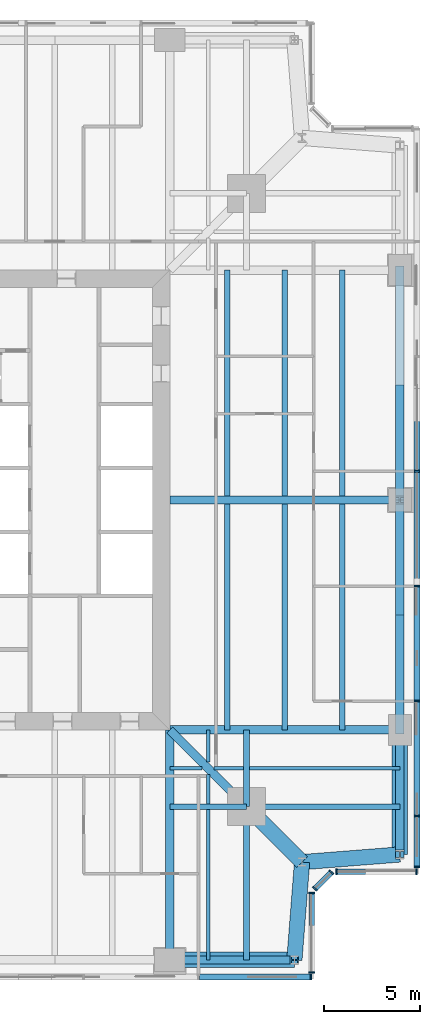
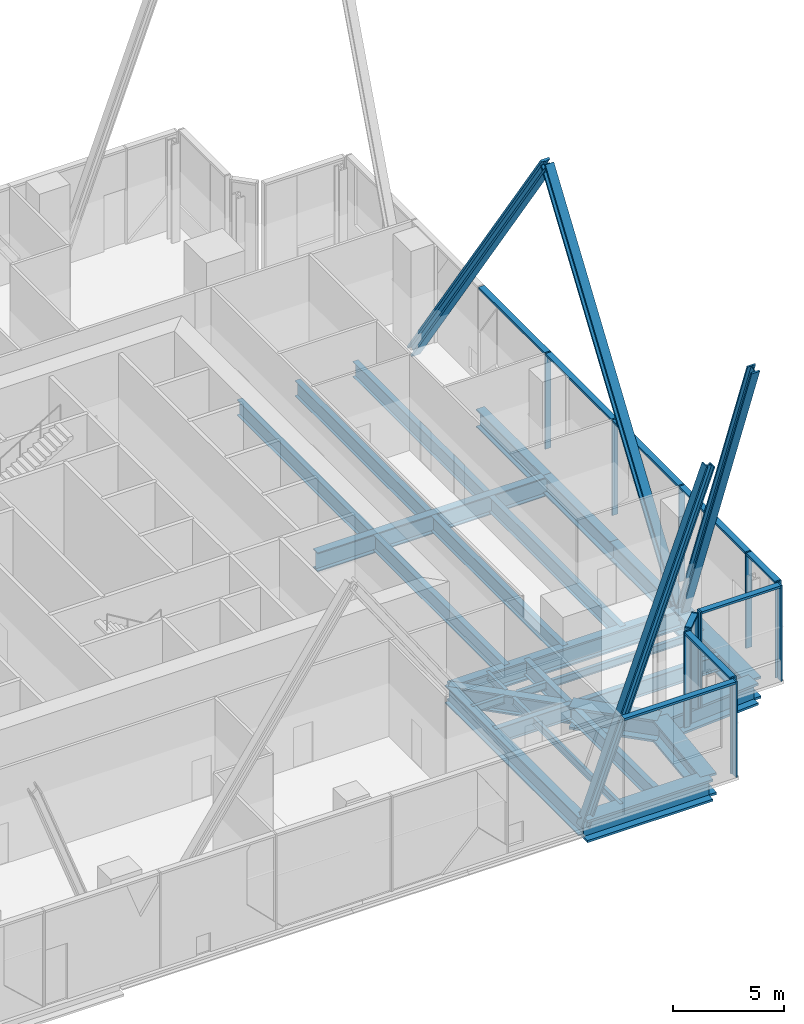
# One storey, part 3 of 14: 28 beams, 25 members, 5 elements without a shape of their own.
"""IFC4 building model written with IfcOpenShell, lengths in metres."""

from ifc_helpers import new_model, si_unit, direction, frame, origin, origin_2d, place, context, subcontext, project, spatial, rectangle, i_section, extrude, material, material_profile, profile_set, type_object, element, aggregate, save


model = new_model("IFC4")

# Units and contexts
model_context = context("Model", 3, precision=1e-05, world=origin(), true_north=direction((0.0, 1.0)))
body_context = subcontext(model_context, "Body", "Model", "MODEL_VIEW")
ifc_project = project(units=[si_unit("LENGTHUNIT", "METRE"), si_unit("AREAUNIT", "SQUARE_METRE"), si_unit("VOLUMEUNIT", "CUBIC_METRE"), si_unit("PLANEANGLEUNIT", "RADIAN"), si_unit("MASSUNIT", "GRAM", prefix="KILO")], contexts=[model_context])

# Site, building, storey
site_placement = place(None, origin())
site = spatial("IfcSite", under=ifc_project, at=site_placement, CompositionType="ELEMENT")
building_placement = place(site_placement, origin())
building = spatial("IfcBuilding", under=site, at=building_placement, Name="Fenwick Lantern Interchange", CompositionType="ELEMENT")
storey_placement = place(building_placement, frame((0.0, 0.0, 168.39990234375)))
storey = spatial("IfcBuildingStorey", under=building, at=storey_placement, Name="L39", CompositionType="ELEMENT", Elevation=168.39990234375)

# Members
ifc_material_1 = material(Name="Steel ASTM A992 Grade 50", Category="steel")
ifc_material_profile_1 = material_profile(ifc_material_1, i_section(OverallWidth=0.424072265625, OverallDepth=0.47509765625, WebThickness=0.0478515625, FlangeThickness=0.0771484375, at=origin_2d()), Name="W14X426")
ifc_profile_set_1 = profile_set([ifc_material_profile_1], Name="Steel ASTM A992 Grade 50")
member_type_1 = type_object("IfcMemberType", Name="FACADE BRACE W14X426", PredefinedType="BRACE", material=ifc_profile_set_1)
for number, where, z_axis, x_axis, name in (
    (1, (37.0, 1.0, -0.696533203125), (0.348348807467, 0.0, 0.93736498139), (0.0, 1.0, 0.0), "L39/FB/S/BE"),
    (2, (49.0, 13.0, -0.696533203125), (0.0, -0.348348807467, 0.93736498139), (1.0, 0.0, 0.0), "L39/FB/E/AE"),
):
    element("IfcMember", number, at=place(storey_placement, frame(where, z_axis=z_axis, x_axis=x_axis)), inside=storey, type_object=member_type_1, Name=name, PredefinedType="BRACE", context=body_context, shape_type="SweptSolid", body=[
        extrude(i_section(OverallWidth=0.424072265625, OverallDepth=0.47509765625, WebThickness=0.0478515625, FlangeThickness=0.0771484375, at=origin_2d()), origin(), (0.0, 0.0, 1.0), 18.659423828125),
    ])
ifc_material_profile_2 = material_profile(ifc_material_1, i_section(OverallWidth=0.44189453125, OverallDepth=0.53076171875, WebThickness=0.06591796875, FlangeThickness=0.105712890625, at=origin_2d()), Name="W14X605")
ifc_profile_set_2 = profile_set([ifc_material_profile_2], Name="Steel ASTM A992 Grade 50")
member_type_2 = type_object("IfcMemberType", Name="FACADE BRACE W14X605", PredefinedType="BRACE", material=ifc_profile_set_2)
for number, where, z_axis, x_axis, name in (
    (3, (49.0, 13.0, -0.696533203125), (0.0, 0.565732332995, 0.824588944507), (-1.0, 0.0, 0.0), "L39/FB/E/A"),
    (4, (49.0, 37.0, -0.696533203125), (0.0, -0.565732332995, 0.824588944507), (1.0, 0.0, 0.0), "L39/FB/E/B"),
):
    element("IfcMember", number, at=place(storey_placement, frame(where, z_axis=z_axis, x_axis=x_axis)), inside=storey, type_object=member_type_2, Name=name, PredefinedType="BRACE", context=body_context, shape_type="SweptSolid", body=[
        extrude(i_section(OverallWidth=0.44189453125, OverallDepth=0.53076171875, WebThickness=0.06591796875, FlangeThickness=0.105712890625, at=origin_2d()), origin(), (0.0, 0.0, 1.0), 21.21142578125),
    ])

# Beams
ifc_material_profile_3 = material_profile(ifc_material_1, i_section(OverallWidth=0.2919921875, OverallDepth=0.845703125, WebThickness=0.015380859375, FlangeThickness=0.0244140625, at=origin_2d()), Name="W33X141")
ifc_profile_set_3 = profile_set([ifc_material_profile_3], Name="Steel ASTM A992 Grade 50")
beam_type_1 = type_object("IfcBeamType", Name="FLOOR BEAM W33X141", PredefinedType="BEAM", material=ifc_profile_set_3)
for number, where, z_axis, x_axis, name in (
    (5, (46.0, 13.0, -0.622802734375), (0.0, 1.0, 0.0), (-1.0, 0.0, 0.0), "L39/FR/E/B01"),
    (6, (43.0, 13.0, -0.622802734375), (0.0, 1.0, 0.0), (-1.0, 0.0, 0.0), "L39/FR/E/B02"),
    (7, (40.0, 13.0, -0.622802734375), (0.0, 1.0, 0.0), (-1.0, 0.0, 0.0), "L39/FR/E/B03"),
    (8, (46.0, 25.20458984375, -0.622802734375), (0.0, 1.0, 0.0), (-1.0, 0.0, 0.0), "L39/FR/E/B04"),
    (9, (43.0, 25.20458984375, -0.622802734375), (0.0, 1.0, 0.0), (-1.0, 0.0, 0.0), "L39/FR/E/B05"),
    (10, (40.0, 25.20458984375, -0.622802734375), (0.0, 1.0, 0.0), (-1.0, 0.0, 0.0), "L39/FR/E/B06"),
):
    element("IfcBeam", number, at=place(storey_placement, frame(where, z_axis=z_axis, x_axis=x_axis)), inside=storey, type_object=beam_type_1, Name=name, PredefinedType="BEAM", context=body_context, shape_type="SweptSolid", body=[
        extrude(i_section(OverallWidth=0.2919921875, OverallDepth=0.845703125, WebThickness=0.015380859375, FlangeThickness=0.0244140625, at=origin_2d()), origin(), (0.0, 0.0, 1.0), 11.79541015625),
    ])
ifc_material_profile_4 = material_profile(ifc_material_1, i_section(OverallWidth=0.177734375, OverallDepth=0.406494140625, WebThickness=0.0078125, FlangeThickness=0.012939453125, at=origin_2d()), Name="W16X40")
ifc_profile_set_4 = profile_set([ifc_material_profile_4], Name="Steel ASTM A992 Grade 50")
beam_type_2 = type_object("IfcBeamType", Name="INFILL BEAM W16X40", PredefinedType="JOIST", material=ifc_profile_set_4)
beam_1_placement = place(storey_placement, frame((49.0, 11.0, -0.403076171875), z_axis=(-1.0, 0.0, 0.0), x_axis=(0.0, -1.0, 0.0)))
element("IfcBeam", 11, at=beam_1_placement, inside=storey, type_object=beam_type_2, Name="L39/FR/E/J1", PredefinedType="JOIST", context=body_context, shape_type="SweptSolid", body=[
    extrude(i_section(OverallWidth=0.177734375, OverallDepth=0.406494140625, WebThickness=0.0078125, FlangeThickness=0.012939453125, at=origin_2d()), origin(), (0.0, 0.0, 1.0), 7.85400390625),
])
beam_2_placement = place(storey_placement, frame((40.85400390625, 11.0, -0.403076171875), z_axis=(-1.0, 0.0, 0.0), x_axis=(0.0, -1.0, 0.0)))
element("IfcBeam", 12, at=beam_2_placement, inside=storey, type_object=beam_type_2, Name="L39/FR/E/J2", PredefinedType="JOIST", context=body_context, shape_type="SweptSolid", body=[
    extrude(i_section(OverallWidth=0.177734375, OverallDepth=0.406494140625, WebThickness=0.0078125, FlangeThickness=0.012939453125, at=origin_2d()), origin(), (0.0, 0.0, 1.0), 1.537841796875),
])
beam_3_placement = place(storey_placement, frame((38.683837890625, 11.0, -0.403076171875), z_axis=(-1.0, 0.0, 0.0), x_axis=(0.0, -1.0, 0.0)))
element("IfcBeam", 13, at=beam_3_placement, inside=storey, type_object=beam_type_2, Name="L39/FR/E/J6", PredefinedType="JOIST", context=body_context, shape_type="SweptSolid", body=[
    extrude(i_section(OverallWidth=0.177734375, OverallDepth=0.406494140625, WebThickness=0.0078125, FlangeThickness=0.012939453125, at=origin_2d()), origin(), (0.0, 0.0, 1.0), 1.683837890625),
])
beam_4_placement = place(storey_placement, frame((39.0, 1.0, -0.403076171875), z_axis=(0.0, 1.0, 0.0), x_axis=(-1.0, 0.0, 0.0)))
element("IfcBeam", 14, at=beam_4_placement, inside=storey, type_object=beam_type_2, Name="L39/FR/E/J3", PredefinedType="JOIST", context=body_context, shape_type="SweptSolid", body=[
    extrude(i_section(OverallWidth=0.177734375, OverallDepth=0.406494140625, WebThickness=0.0078125, FlangeThickness=0.012939453125, at=origin_2d()), origin(), (0.0, 0.0, 1.0), 7.85400390625),
])
beam_5_placement = place(storey_placement, frame((39.0, 9.14599609375, -0.403076171875), z_axis=(0.0, 1.0, 0.0), x_axis=(-1.0, 0.0, 0.0)))
element("IfcBeam", 15, at=beam_5_placement, inside=storey, type_object=beam_type_2, Name="L39/FR/E/J4", PredefinedType="JOIST", context=body_context, shape_type="SweptSolid", body=[
    extrude(i_section(OverallWidth=0.177734375, OverallDepth=0.406494140625, WebThickness=0.0078125, FlangeThickness=0.012939453125, at=origin_2d()), origin(), (0.0, 0.0, 1.0), 1.537841796875),
])
beam_6_placement = place(storey_placement, frame((39.0, 11.316162109375, -0.403076171875), z_axis=(0.0, 1.0, 0.0), x_axis=(-1.0, 0.0, 0.0)))
element("IfcBeam", 16, at=beam_6_placement, inside=storey, type_object=beam_type_2, Name="L39/FR/E/J5", PredefinedType="JOIST", context=body_context, shape_type="SweptSolid", body=[
    extrude(i_section(OverallWidth=0.177734375, OverallDepth=0.406494140625, WebThickness=0.0078125, FlangeThickness=0.012939453125, at=origin_2d()), origin(), (0.0, 0.0, 1.0), 1.683837890625),
])
ifc_material_profile_5 = material_profile(ifc_material_1, i_section(OverallWidth=0.2919921875, OverallDepth=0.845703125, WebThickness=0.015380859375, FlangeThickness=0.0244140625, at=origin_2d()), Name="W33X141")
ifc_profile_set_5 = profile_set([ifc_material_profile_5], Name="Steel ASTM A992 Grade 50")
beam_type_3 = type_object("IfcBeamType", Name="MEGA COLUMN BEAM W33X141", PredefinedType="BEAM", material=ifc_profile_set_5)
for number, where, z_axis, x_axis, name in (
    (17, (41.0, 9.0, -0.622802734375), (1.0, 0.0, 0.0), (0.0, 1.0, 0.0), "L39/FR/E/MB1"),
    (18, (41.0, 9.0, -0.622802734375), (0.0, -1.0, 0.0), (1.0, 0.0, 0.0), "L39/FR/E/MB2"),
):
    element("IfcBeam", number, at=place(storey_placement, frame(where, z_axis=z_axis, x_axis=x_axis)), inside=storey, type_object=beam_type_3, Name=name, PredefinedType="BEAM", context=body_context, shape_type="SweptSolid", body=[
        extrude(i_section(OverallWidth=0.2919921875, OverallDepth=0.845703125, WebThickness=0.015380859375, FlangeThickness=0.0244140625, at=origin_2d()), origin(), (0.0, 0.0, 1.0), 8.0),
    ])
for number, where, z_axis, x_axis, name in (
    (19, (41.0, 9.0, -0.622802734375), (0.0, 1.0, 0.0), (-1.0, 0.0, 0.0), "L39/FR/E/MB3"),
    (20, (41.0, 9.0, -0.622802734375), (-1.0, 0.0, 0.0), (0.0, -1.0, 0.0), "L39/FR/E/MB4"),
):
    element("IfcBeam", number, at=place(storey_placement, frame(where, z_axis=z_axis, x_axis=x_axis)), inside=storey, type_object=beam_type_3, Name=name, PredefinedType="BEAM", context=body_context, shape_type="SweptSolid", body=[
        extrude(i_section(OverallWidth=0.2919921875, OverallDepth=0.845703125, WebThickness=0.015380859375, FlangeThickness=0.0244140625, at=origin_2d()), origin(), (0.0, 0.0, 1.0), 4.0),
    ])
ifc_material_profile_6 = material_profile(ifc_material_1, i_section(OverallWidth=0.434326171875, OverallDepth=0.9931640625, WebThickness=0.0380859375, FlangeThickness=0.06396484375, at=origin_2d()), Name="W36X487")
ifc_profile_set_6 = profile_set([ifc_material_profile_6], Name="Steel ASTM A992 Grade 50")
beam_type_4 = type_object("IfcBeamType", Name="MOMENT-CONNECTED GIRDER W36X487", PredefinedType="BEAM", material=ifc_profile_set_6)
beam_7_placement = place(storey_placement, frame((37.0, 1.0, -0.696533203125), z_axis=(0.0, 1.0, 0.0), x_axis=(-1.0, 0.0, 0.0)))
element("IfcBeam", 21, at=beam_7_placement, inside=storey, type_object=beam_type_4, Name="L39/FR/S/R09", PredefinedType="BEAM", context=body_context, shape_type="SweptSolid", body=[
    extrude(i_section(OverallWidth=0.434326171875, OverallDepth=0.9931640625, WebThickness=0.0380859375, FlangeThickness=0.06396484375, at=origin_2d()), origin(), (0.0, 0.0, 1.0), 12.0),
])
ifc_material_profile_7 = material_profile(ifc_material_1, i_section(OverallWidth=0.447021484375, OverallDepth=1.0439453125, WebThickness=0.050048828125, FlangeThickness=0.08984375, at=origin_2d()), Name="W36X652")
ifc_profile_set_7 = profile_set([ifc_material_profile_7], Name="Steel ASTM A992 Grade 50")
beam_type_5 = type_object("IfcBeamType", Name="MOMENT-CONNECTED GIRDER W36X652", PredefinedType="BEAM", material=ifc_profile_set_7)
beam_8_placement = place(storey_placement, frame((49.0, 13.0, -0.721923828125), z_axis=(-1.0, 0.0, 0.0), x_axis=(0.0, -1.0, 0.0)))
element("IfcBeam", 22, at=beam_8_placement, inside=storey, type_object=beam_type_5, Name="L39/FR/E/R01", PredefinedType="BEAM", context=body_context, shape_type="SweptSolid", body=[
    extrude(i_section(OverallWidth=0.447021484375, OverallDepth=1.0439453125, WebThickness=0.050048828125, FlangeThickness=0.08984375, at=origin_2d()), origin(), (0.0, 0.0, 1.0), 12.0),
])
ifc_material_profile_8 = material_profile(ifc_material_1, i_section(OverallWidth=0.408935546875, OverallDepth=1.04150390625, WebThickness=0.031005859375, FlangeThickness=0.055908203125, at=origin_2d()), Name="W40X397")
ifc_profile_set_8 = profile_set([ifc_material_profile_8], Name="Steel ASTM A992 Grade 50")
beam_type_6 = type_object("IfcBeamType", Name="MOMENT-CONNECTED GIRDER W40X397", PredefinedType="BEAM", material=ifc_profile_set_8)
beam_9_placement = place(storey_placement, frame((49.0, 25.0, -0.720703125), z_axis=(-1.0, 0.0, 0.0), x_axis=(0.0, -1.0, 0.0)))
element("IfcBeam", 23, at=beam_9_placement, inside=storey, type_object=beam_type_6, Name="L39/FR/E/R02", PredefinedType="BEAM", context=body_context, shape_type="SweptSolid", body=[
    extrude(i_section(OverallWidth=0.408935546875, OverallDepth=1.04150390625, WebThickness=0.031005859375, FlangeThickness=0.055908203125, at=origin_2d()), origin(), (0.0, 0.0, 1.0), 12.0),
])
ifc_material_2 = material(Name="Steel ASTM A572 Grade 42", Category="steel")
ifc_material_profile_9 = material_profile(ifc_material_2, i_section(OverallWidth=0.800048828125, OverallDepth=1.199951171875, WebThickness=0.06005859375, FlangeThickness=0.1201171875, at=origin_2d()), Name="BU1200X800")
ifc_profile_set_9 = profile_set([ifc_material_profile_9], Name="Steel ASTM A572 Grade 42")
beam_type_7 = type_object("IfcBeamType", Name="MOMENT-CONNECTED TRANSFER GIRDER BU1200X800", PredefinedType="BEAM", material=ifc_profile_set_9)
beam_10_placement = place(storey_placement, frame((37.0, 1.0, -0.7998046875), z_axis=(1.0, 0.0, 0.0), x_axis=(0.0, 1.0, 0.0)))
element("IfcBeam", 24, at=beam_10_placement, inside=storey, type_object=beam_type_7, Name="L39/FR/S/EB6", PredefinedType="BEAM", context=body_context, shape_type="SweptSolid", body=[
    extrude(i_section(OverallWidth=0.800048828125, OverallDepth=1.199951171875, WebThickness=0.06005859375, FlangeThickness=0.1201171875, at=origin_2d()), origin(), (0.0, 0.0, 1.0), 6.5),
])
for number, where, z_axis, x_axis, name in (
    (25, (43.5, 1.0, -0.7998046875), (0.078170784639, 0.99693998236, 0.0), (-0.99693998236, 0.078170784639, 0.0), "L39/FR/S/EBR1"),
    (26, (43.89990234375, 6.10009765625, -0.7998046875), (0.99693998236, 0.078170784639, 0.0), (-0.078170784639, 0.99693998236, 0.0), "L39/FR/S/EBR2"),
):
    element("IfcBeam", number, at=place(storey_placement, frame(where, z_axis=z_axis, x_axis=x_axis)), inside=storey, type_object=beam_type_7, Name=name, PredefinedType="BEAM", context=body_context, shape_type="SweptSolid", body=[
        extrude(i_section(OverallWidth=0.800048828125, OverallDepth=1.199951171875, WebThickness=0.06005859375, FlangeThickness=0.1201171875, at=origin_2d()), origin(), (0.0, 0.0, 1.0), 5.11572265625),
    ])
beam_11_placement = place(storey_placement, frame((49.0, 6.5, -0.7998046875), z_axis=(0.0, 1.0, 0.0), x_axis=(-1.0, 0.0, 0.0)))
element("IfcBeam", 27, at=beam_11_placement, inside=storey, type_object=beam_type_7, Name="L39/FR/E/EB1", PredefinedType="BEAM", context=body_context, shape_type="SweptSolid", body=[
    extrude(i_section(OverallWidth=0.800048828125, OverallDepth=1.199951171875, WebThickness=0.06005859375, FlangeThickness=0.1201171875, at=origin_2d()), origin(), (0.0, 0.0, 1.0), 6.5),
])
beam_12_placement = place(storey_placement, frame((41.0, 9.0, -0.7998046875), z_axis=(0.707106781187, -0.707106781187, 0.0), x_axis=(0.707106781187, 0.707106781187, 0.0)))
element("IfcBeam", 28, at=beam_12_placement, inside=storey, type_object=beam_type_7, Name="L39/FR/E/TG", PredefinedType="BEAM", context=body_context, shape_type="SweptSolid", body=[
    extrude(i_section(OverallWidth=0.800048828125, OverallDepth=1.199951171875, WebThickness=0.06005859375, FlangeThickness=0.1201171875, at=origin_2d()), origin(), (0.0, 0.0, 1.0), 4.10107421875),
])
ifc_material_profile_10 = material_profile(ifc_material_1, i_section(OverallWidth=0.447021484375, OverallDepth=1.0439453125, WebThickness=0.050048828125, FlangeThickness=0.08984375, at=origin_2d()), Name="W36X652")
ifc_profile_set_10 = profile_set([ifc_material_profile_10], Name="Steel ASTM A992 Grade 50")
beam_type_8 = type_object("IfcBeamType", Name="OUTRIGGER CHORD W36X652", PredefinedType="BEAM", material=ifc_profile_set_10)
beam_13_placement = place(storey_placement, frame((37.0, 13.0, -0.721923828125), z_axis=(0.707106781187, -0.707106781187, 0.0), x_axis=(0.707106781187, 0.707106781187, 0.0)))
element("IfcBeam", 29, at=beam_13_placement, inside=storey, type_object=beam_type_8, Name="L39/OR/E/TC", PredefinedType="BEAM", context=body_context, shape_type="SweptSolid", body=[
    extrude(i_section(OverallWidth=0.447021484375, OverallDepth=1.0439453125, WebThickness=0.050048828125, FlangeThickness=0.08984375, at=origin_2d()), origin(), (0.0, 0.0, 1.0), 5.65673828125),
])

# Curtain wall, member
ifc_material_3 = material(Name="Aluminium curtain wall frame", Category="aluminium")
curtain_wall_type = type_object("IfcCurtainWallType", Name="SKY LOBBY GLAZING", PredefinedType="USERDEFINED", material=ifc_material_3)
curtain_wall_1_placement = place(storey_placement, origin())
curtain_wall_1 = element("IfcCurtainWall", 30, at=curtain_wall_1_placement, inside=storey, type_object=curtain_wall_type, Name="Sky lobby glazing 01", ObjectType="SKY LOBBY GLAZING", PredefinedType="USERDEFINED")
ifc_material_4 = material(Name="Aluminium extrusion", Category="aluminium")
ifc_material_profile_11 = material_profile(ifc_material_4, rectangle(XDim=0.300048828125, YDim=0.080078125, at=origin_2d()), Name="SKY LOBBY GLAZING MULLION 80 X 300")
ifc_profile_set_11 = profile_set([ifc_material_profile_11], Name="Aluminium extrusion")
member_type_3 = type_object("IfcMemberType", Name="SKY LOBBY GLAZING MULLION 80 X 300", PredefinedType="MULLION", material=ifc_profile_set_11)
member_1_placement = place(storey_placement, frame((44.360107421875, 0.10009765625, 0.0), z_axis=(0.0, 0.0, 1.0), x_axis=(0.0, 1.0, 0.0)))
member_1 = element("IfcMember", 31, at=member_1_placement, type_object=member_type_3, Name="L39/CW/01/M07", PredefinedType="MULLION", context=body_context, shape_type="SweptSolid", body=[
    extrude(rectangle(XDim=0.300048828125, YDim=0.080078125, at=origin_2d()), origin(), (0.0, 0.0, 1.0), 5.25),
])

# Curtain wall, members
curtain_wall_2_placement = place(storey_placement, origin())
curtain_wall_2 = element("IfcCurtainWall", 32, at=curtain_wall_2_placement, inside=storey, type_object=curtain_wall_type, Name="Sky lobby glazing 02", ObjectType="SKY LOBBY GLAZING", PredefinedType="USERDEFINED")
member_2_placement = place(storey_placement, frame((44.39990234375, 0.340087890625, 0.0), z_axis=(0.0, 0.0, 1.0), x_axis=(-1.0, 0.0, 0.0)))
member_2 = element("IfcMember", 33, at=member_2_placement, type_object=member_type_3, Name="L39/CW/02/M00", PredefinedType="MULLION", context=body_context, shape_type="SweptSolid", body=[
    extrude(rectangle(XDim=0.300048828125, YDim=0.080078125, at=origin_2d()), origin(), (0.0, 0.0, 1.0), 5.25),
])
member_3_placement = place(storey_placement, frame((44.39990234375, 4.50146484375, 0.0), z_axis=(0.0, 0.0, 1.0), x_axis=(-1.0, 0.0, 0.0)))
member_3 = element("IfcMember", 34, at=member_3_placement, type_object=member_type_3, Name="L39/CW/02/M01", PredefinedType="MULLION", context=body_context, shape_type="SweptSolid", body=[
    extrude(rectangle(XDim=0.300048828125, YDim=0.080078125, at=origin_2d()), origin(), (0.0, 0.0, 1.0), 5.25),
])

curtain_wall_3_placement = place(storey_placement, origin())
curtain_wall_3 = element("IfcCurtainWall", 35, at=curtain_wall_3_placement, inside=storey, type_object=curtain_wall_type, Name="Sky lobby glazing 03", ObjectType="SKY LOBBY GLAZING", PredefinedType="USERDEFINED")
member_4_placement = place(storey_placement, frame((44.56982421875, 4.711181640625, 0.0), z_axis=(0.0, 0.0, 1.0), x_axis=(-0.707106781187, 0.707106781187, 0.0)))
member_4 = element("IfcMember", 36, at=member_4_placement, type_object=member_type_3, Name="L39/CW/03/M00", PredefinedType="MULLION", context=body_context, shape_type="SweptSolid", body=[
    extrude(rectangle(XDim=0.300048828125, YDim=0.080078125, at=origin_2d()), origin(), (0.0, 0.0, 1.0), 5.25),
])
member_5_placement = place(storey_placement, frame((45.43017578125, 5.57177734375, 0.0), z_axis=(0.0, 0.0, 1.0), x_axis=(-0.707106781187, 0.707106781187, 0.0)))
member_5 = element("IfcMember", 37, at=member_5_placement, type_object=member_type_3, Name="L39/CW/03/M01", PredefinedType="MULLION", context=body_context, shape_type="SweptSolid", body=[
    extrude(rectangle(XDim=0.300048828125, YDim=0.080078125, at=origin_2d()), origin(), (0.0, 0.0, 1.0), 5.25),
])

curtain_wall_4_placement = place(storey_placement, origin())
curtain_wall_4 = element("IfcCurtainWall", 38, at=curtain_wall_4_placement, inside=storey, type_object=curtain_wall_type, Name="Sky lobby glazing 04", ObjectType="SKY LOBBY GLAZING", PredefinedType="USERDEFINED")
member_6_placement = place(storey_placement, frame((45.698486328125, 5.60009765625, 0.0), z_axis=(0.0, 0.0, 1.0), x_axis=(0.0, 1.0, 0.0)))
member_6 = element("IfcMember", 39, at=member_6_placement, type_object=member_type_3, Name="L39/CW/04/M00", PredefinedType="MULLION", context=body_context, shape_type="SweptSolid", body=[
    extrude(rectangle(XDim=0.300048828125, YDim=0.080078125, at=origin_2d()), origin(), (0.0, 0.0, 1.0), 5.25),
])
member_7_placement = place(storey_placement, frame((49.860107421875, 5.60009765625, 0.0), z_axis=(0.0, 0.0, 1.0), x_axis=(0.0, 1.0, 0.0)))
member_7 = element("IfcMember", 40, at=member_7_placement, type_object=member_type_3, Name="L39/CW/04/M01", PredefinedType="MULLION", context=body_context, shape_type="SweptSolid", body=[
    extrude(rectangle(XDim=0.300048828125, YDim=0.080078125, at=origin_2d()), origin(), (0.0, 0.0, 1.0), 5.25),
])

curtain_wall_5_placement = place(storey_placement, origin())
curtain_wall_5 = element("IfcCurtainWall", 41, at=curtain_wall_5_placement, inside=storey, type_object=curtain_wall_type, Name="Sky lobby glazing 05", ObjectType="SKY LOBBY GLAZING", PredefinedType="USERDEFINED")
member_8_placement = place(storey_placement, frame((49.89990234375, 5.840087890625, 0.0), z_axis=(0.0, 0.0, 1.0), x_axis=(-1.0, 0.0, 0.0)))
member_8 = element("IfcMember", 42, at=member_8_placement, type_object=member_type_3, Name="L39/CW/05/M00", PredefinedType="MULLION", context=body_context, shape_type="SweptSolid", body=[
    extrude(rectangle(XDim=0.300048828125, YDim=0.080078125, at=origin_2d()), origin(), (0.0, 0.0, 1.0), 5.25),
])
member_9_placement = place(storey_placement, frame((49.89990234375, 8.5, 0.0), z_axis=(0.0, 0.0, 1.0), x_axis=(-1.0, 0.0, 0.0)))
member_9 = element("IfcMember", 43, at=member_9_placement, type_object=member_type_3, Name="L39/CW/05/M01", PredefinedType="MULLION", context=body_context, shape_type="SweptSolid", body=[
    extrude(rectangle(XDim=0.300048828125, YDim=0.080078125, at=origin_2d()), origin(), (0.0, 0.0, 1.0), 5.25),
])
member_10_placement = place(storey_placement, frame((49.89990234375, 14.5, 0.0), z_axis=(0.0, 0.0, 1.0), x_axis=(-1.0, 0.0, 0.0)))
member_10 = element("IfcMember", 44, at=member_10_placement, type_object=member_type_3, Name="L39/CW/05/M02", PredefinedType="MULLION", context=body_context, shape_type="SweptSolid", body=[
    extrude(rectangle(XDim=0.300048828125, YDim=0.080078125, at=origin_2d()), origin(), (0.0, 0.0, 1.0), 5.25),
])
member_11_placement = place(storey_placement, frame((49.89990234375, 20.5, 0.0), z_axis=(0.0, 0.0, 1.0), x_axis=(-1.0, 0.0, 0.0)))
member_11 = element("IfcMember", 45, at=member_11_placement, type_object=member_type_3, Name="L39/CW/05/M03", PredefinedType="MULLION", context=body_context, shape_type="SweptSolid", body=[
    extrude(rectangle(XDim=0.300048828125, YDim=0.080078125, at=origin_2d()), origin(), (0.0, 0.0, 1.0), 5.25),
])
member_12_placement = place(storey_placement, frame((49.89990234375, 26.5, 0.0), z_axis=(0.0, 0.0, 1.0), x_axis=(-1.0, 0.0, 0.0)))
member_12 = element("IfcMember", 46, at=member_12_placement, type_object=member_type_3, Name="L39/CW/05/M04", PredefinedType="MULLION", context=body_context, shape_type="SweptSolid", body=[
    extrude(rectangle(XDim=0.300048828125, YDim=0.080078125, at=origin_2d()), origin(), (0.0, 0.0, 1.0), 5.25),
])

# Member
ifc_material_profile_12 = material_profile(ifc_material_4, rectangle(XDim=0.300048828125, YDim=0.1201171875, at=origin_2d()), Name="SKY LOBBY GLAZING TRANSOM 120 X 300")
ifc_profile_set_12 = profile_set([ifc_material_profile_12], Name="Aluminium extrusion")
member_type_4 = type_object("IfcMemberType", Name="SKY LOBBY GLAZING TRANSOM 120 X 300", PredefinedType="MULLION", material=ifc_profile_set_12)
member_13_placement = place(storey_placement, frame((38.5400390625, 0.10009765625, 5.190185546875), z_axis=(1.0, 0.0, 0.0), x_axis=(0.0, 1.0, 0.0)))
member_13 = element("IfcMember", 47, at=member_13_placement, type_object=member_type_4, Name="L39/CW/01/T06", PredefinedType="MULLION", context=body_context, shape_type="SweptSolid", body=[
    extrude(rectangle(XDim=0.300048828125, YDim=0.1201171875, at=origin_2d()), origin(), (0.0, 0.0, 1.0), 5.780029296875),
])

aggregate(curtain_wall_1, [member_1, member_13])

member_14_placement = place(storey_placement, frame((44.39990234375, 0.3798828125, 5.190185546875), z_axis=(0.0, 1.0, 0.0), x_axis=(-1.0, 0.0, 0.0)))
member_14 = element("IfcMember", 48, at=member_14_placement, type_object=member_type_4, Name="L39/CW/02/T00", PredefinedType="MULLION", context=body_context, shape_type="SweptSolid", body=[
    extrude(rectangle(XDim=0.300048828125, YDim=0.1201171875, at=origin_2d()), origin(), (0.0, 0.0, 1.0), 4.08154296875),
])

aggregate(curtain_wall_2, [member_2, member_3, member_14])

member_15_placement = place(storey_placement, frame((44.597900390625, 4.739501953125, 5.190185546875), z_axis=(0.707214121873, 0.706999424203, 0.0), x_axis=(-0.706999424203, 0.707214121873, 0.0)))
member_15 = element("IfcMember", 49, at=member_15_placement, type_object=member_type_4, Name="L39/CW/03/T00", PredefinedType="MULLION", context=body_context, shape_type="SweptSolid", body=[
    extrude(rectangle(XDim=0.300048828125, YDim=0.1201171875, at=origin_2d()), origin(), (0.0, 0.0, 1.0), 1.13720703125),
])

aggregate(curtain_wall_3, [member_4, member_5, member_15])

member_16_placement = place(storey_placement, frame((45.738525390625, 5.60009765625, 5.190185546875), z_axis=(1.0, 0.0, 0.0), x_axis=(0.0, 1.0, 0.0)))
member_16 = element("IfcMember", 50, at=member_16_placement, type_object=member_type_4, Name="L39/CW/04/T00", PredefinedType="MULLION", context=body_context, shape_type="SweptSolid", body=[
    extrude(rectangle(XDim=0.300048828125, YDim=0.1201171875, at=origin_2d()), origin(), (0.0, 0.0, 1.0), 4.08154296875),
])

aggregate(curtain_wall_4, [member_6, member_7, member_16])

member_17_placement = place(storey_placement, frame((49.89990234375, 5.8798828125, 5.190185546875), z_axis=(0.0, 1.0, 0.0), x_axis=(-1.0, 0.0, 0.0)))
member_17 = element("IfcMember", 51, at=member_17_placement, type_object=member_type_4, Name="L39/CW/05/T00", PredefinedType="MULLION", context=body_context, shape_type="SweptSolid", body=[
    extrude(rectangle(XDim=0.300048828125, YDim=0.1201171875, at=origin_2d()), origin(), (0.0, 0.0, 1.0), 2.580078125),
])

member_18_placement = place(storey_placement, frame((49.89990234375, 8.5400390625, 5.190185546875), z_axis=(0.0, 1.0, 0.0), x_axis=(-1.0, 0.0, 0.0)))
member_18 = element("IfcMember", 52, at=member_18_placement, type_object=member_type_4, Name="L39/CW/05/T01", PredefinedType="MULLION", context=body_context, shape_type="SweptSolid", body=[
    extrude(rectangle(XDim=0.300048828125, YDim=0.1201171875, at=origin_2d()), origin(), (0.0, 0.0, 1.0), 5.919921875),
])

member_19_placement = place(storey_placement, frame((49.89990234375, 14.5400390625, 5.190185546875), z_axis=(0.0, 1.0, 0.0), x_axis=(-1.0, 0.0, 0.0)))
member_19 = element("IfcMember", 53, at=member_19_placement, type_object=member_type_4, Name="L39/CW/05/T02", PredefinedType="MULLION", context=body_context, shape_type="SweptSolid", body=[
    extrude(rectangle(XDim=0.300048828125, YDim=0.1201171875, at=origin_2d()), origin(), (0.0, 0.0, 1.0), 5.919921875),
])

member_20_placement = place(storey_placement, frame((49.89990234375, 20.5400390625, 5.190185546875), z_axis=(0.0, 1.0, 0.0), x_axis=(-1.0, 0.0, 0.0)))
member_20 = element("IfcMember", 54, at=member_20_placement, type_object=member_type_4, Name="L39/CW/05/T03", PredefinedType="MULLION", context=body_context, shape_type="SweptSolid", body=[
    extrude(rectangle(XDim=0.300048828125, YDim=0.1201171875, at=origin_2d()), origin(), (0.0, 0.0, 1.0), 5.919921875),
])

member_21_placement = place(storey_placement, frame((49.89990234375, 26.5400390625, 5.190185546875), z_axis=(0.0, 1.0, 0.0), x_axis=(-1.0, 0.0, 0.0)))
member_21 = element("IfcMember", 55, at=member_21_placement, type_object=member_type_4, Name="L39/CW/05/T04", PredefinedType="MULLION", context=body_context, shape_type="SweptSolid", body=[
    extrude(rectangle(XDim=0.300048828125, YDim=0.1201171875, at=origin_2d()), origin(), (0.0, 0.0, 1.0), 5.919921875),
])

aggregate(curtain_wall_5, [member_8, member_9, member_10, member_11, member_12, member_17, member_18, member_19, member_20, member_21])

# Beams
ifc_material_profile_13 = material_profile(ifc_material_1, i_section(OverallWidth=0.434326171875, OverallDepth=0.9931640625, WebThickness=0.0380859375, FlangeThickness=0.06396484375, at=origin_2d()), Name="W36X487")
ifc_profile_set_13 = profile_set([ifc_material_profile_13], Name="Steel ASTM A992 Grade 50")
beam_type_9 = type_object("IfcBeamType", Name="TRUSS CHORD EDGE BEAM W36X487", PredefinedType="BEAM", material=ifc_profile_set_13)
for number, where, z_axis, x_axis, name in (
    (56, (49.0, 13.0, -0.696533203125), (0.0, 1.0, 0.0), (-1.0, 0.0, 0.0), "L39/FR/E/EB2"),
    (57, (49.0, 19.0, -0.696533203125), (0.0, 1.0, 0.0), (-1.0, 0.0, 0.0), "L39/FR/E/EB3"),
    (58, (49.0, 25.0, -0.696533203125), (0.0, 1.0, 0.0), (-1.0, 0.0, 0.0), "L39/FR/E/EB4"),
):
    element("IfcBeam", number, at=place(storey_placement, frame(where, z_axis=z_axis, x_axis=x_axis)), inside=storey, type_object=beam_type_9, Name=name, PredefinedType="BEAM", context=body_context, shape_type="SweptSolid", body=[
        extrude(i_section(OverallWidth=0.434326171875, OverallDepth=0.9931640625, WebThickness=0.0380859375, FlangeThickness=0.06396484375, at=origin_2d()), origin(), (0.0, 0.0, 1.0), 6.0),
    ])

save(model, "model.ifc")
